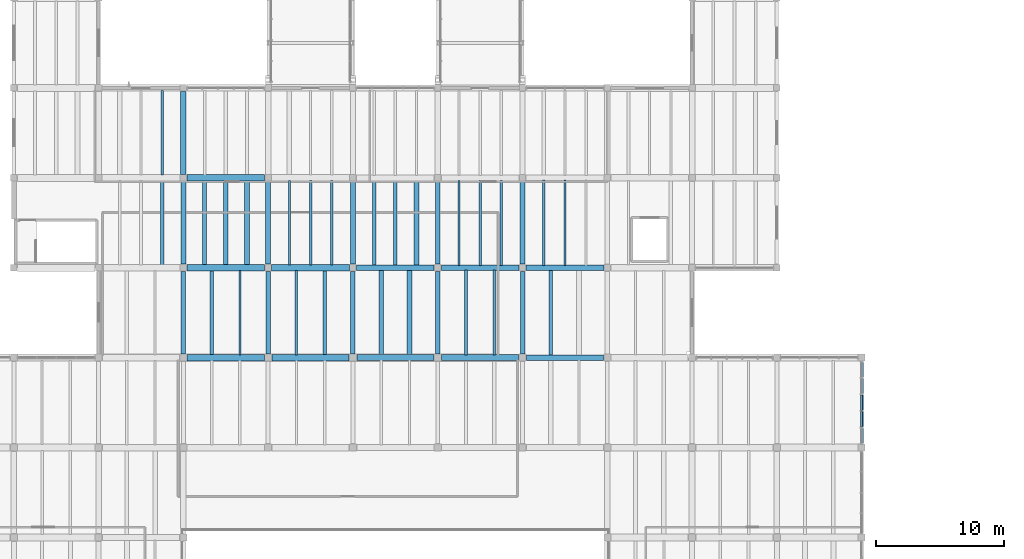
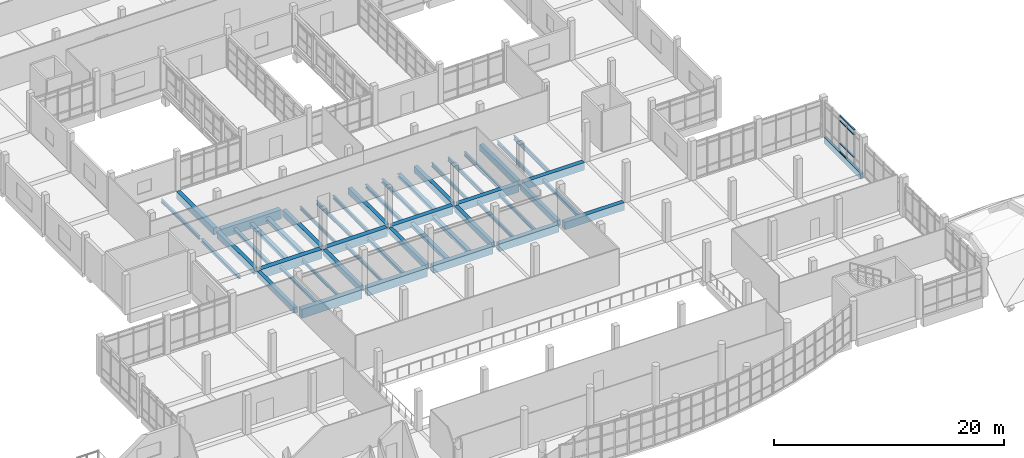
# One storey, part 16 of 65: 48 beams, 7 members, 1 element without a shape of its own.
"""IFC4 building model written with IfcOpenShell, lengths in metres."""

from ifc_helpers import new_model, si_unit, direction, frame, origin, origin_2d, place, context, subcontext, project, spatial, rectangle, i_section, extrude, material, material_profile, profile_set, type_object, element, aggregate, save


model = new_model("IFC4")

# Units and contexts
model_context = context("Model", 3, precision=1e-05, world=origin(), true_north=direction((0.0, 1.0)))
body_context = subcontext(model_context, "Body", "Model", "MODEL_VIEW")
ifc_project = project(units=[si_unit("LENGTHUNIT", "METRE"), si_unit("AREAUNIT", "SQUARE_METRE"), si_unit("VOLUMEUNIT", "CUBIC_METRE"), si_unit("PLANEANGLEUNIT", "RADIAN"), si_unit("MASSUNIT", "GRAM", prefix="KILO")], contexts=[model_context])

# Site, building, storey
site_placement = place(None, origin())
site = spatial("IfcSite", under=ifc_project, at=site_placement, CompositionType="ELEMENT")
building_placement = place(site_placement, origin())
building = spatial("IfcBuilding", under=site, at=building_placement, Name="Ciguamira Faculty of Natural Sciences", CompositionType="ELEMENT")
storey_placement = place(building_placement, frame((0.0, 0.0, 12.60009765625)))
storey = spatial("IfcBuildingStorey", under=building, at=storey_placement, Name="L03", CompositionType="ELEMENT", Elevation=12.60009765625)

# Curtain wall, members
ifc_material_1 = material(Name="Anodized aluminium curtain wall", Category="aluminium")
curtain_wall_type = type_object("IfcCurtainWallType", Name="CurtainWall_CW-09", PredefinedType="USERDEFINED", material=ifc_material_1)
curtain_wall_placement = place(storey_placement, origin())
curtain_wall = element("IfcCurtainWall", 1, at=curtain_wall_placement, inside=storey, type_object=curtain_wall_type, Name="L03 unitised curtain wall 0105", ObjectType="UNITISED CURTAIN WALL", PredefinedType="USERDEFINED")
ifc_material_2 = material(Name="Anodized aluminium transom", Category="aluminium")
ifc_material_profile_1 = material_profile(ifc_material_2, rectangle(XDim=0.080078125, YDim=0.159912109375, at=origin_2d()), Name="ALU-TRN-80X160")
ifc_profile_set_1 = profile_set([ifc_material_profile_1], Name="Anodized aluminium transom")
member_type = type_object("IfcMemberType", Name="CWTransom_CWT-03", PredefinedType="USERDEFINED", material=ifc_profile_set_1)
member_1_placement = place(storey_placement, frame((123.300048828125, 32.60498046875, 0.89990234375), z_axis=(0.0, 1.0, 0.0), x_axis=(0.0, 0.0, 1.0)))
member_1 = element("IfcMember", 2, at=member_1_placement, type_object=member_type, Name="CW-09 transom 2.2", ObjectType="TRANSOM", PredefinedType="USERDEFINED", context=body_context, shape_type="SweptSolid", body=[
    extrude(rectangle(XDim=0.080078125, YDim=0.159912109375, at=origin_2d()), origin(), (0.0, 0.0, 1.0), 1.2099609375),
])
member_2_placement = place(storey_placement, frame((123.300048828125, 32.60498046875, 3.2998046875), z_axis=(0.0, 1.0, 0.0), x_axis=(0.0, 0.0, 1.0)))
member_2 = element("IfcMember", 3, at=member_2_placement, type_object=member_type, Name="CW-09 transom 2.3", ObjectType="TRANSOM", PredefinedType="USERDEFINED", context=body_context, shape_type="SweptSolid", body=[
    extrude(rectangle(XDim=0.080078125, YDim=0.159912109375, at=origin_2d()), origin(), (0.0, 0.0, 1.0), 1.2099609375),
])
member_3_placement = place(storey_placement, frame((123.300048828125, 32.60498046875, 3.809814453125), z_axis=(0.0, 1.0, 0.0), x_axis=(0.0, 0.0, 1.0)))
member_3 = element("IfcMember", 4, at=member_3_placement, type_object=member_type, Name="CW-09 transom 2.4", ObjectType="TRANSOM", PredefinedType="USERDEFINED", context=body_context, shape_type="SweptSolid", body=[
    extrude(rectangle(XDim=0.080078125, YDim=0.159912109375, at=origin_2d()), origin(), (0.0, 0.0, 1.0), 1.2099609375),
])
member_4_placement = place(storey_placement, frame((123.300048828125, 33.89501953125, 0.039794921875), z_axis=(0.0, 1.0, 0.0), x_axis=(0.0, 0.0, 1.0)))
member_4 = element("IfcMember", 5, at=member_4_placement, type_object=member_type, Name="CW-09 transom 3.1", ObjectType="TRANSOM", PredefinedType="USERDEFINED", context=body_context, shape_type="SweptSolid", body=[
    extrude(rectangle(XDim=0.080078125, YDim=0.159912109375, at=origin_2d()), origin(), (0.0, 0.0, 1.0), 1.2099609375),
])
member_5_placement = place(storey_placement, frame((123.300048828125, 33.89501953125, 0.89990234375), z_axis=(0.0, 1.0, 0.0), x_axis=(0.0, 0.0, 1.0)))
member_5 = element("IfcMember", 6, at=member_5_placement, type_object=member_type, Name="CW-09 transom 3.2", ObjectType="TRANSOM", PredefinedType="USERDEFINED", context=body_context, shape_type="SweptSolid", body=[
    extrude(rectangle(XDim=0.080078125, YDim=0.159912109375, at=origin_2d()), origin(), (0.0, 0.0, 1.0), 1.2099609375),
])
member_6_placement = place(storey_placement, frame((123.300048828125, 33.89501953125, 3.2998046875), z_axis=(0.0, 1.0, 0.0), x_axis=(0.0, 0.0, 1.0)))
member_6 = element("IfcMember", 7, at=member_6_placement, type_object=member_type, Name="CW-09 transom 3.3", ObjectType="TRANSOM", PredefinedType="USERDEFINED", context=body_context, shape_type="SweptSolid", body=[
    extrude(rectangle(XDim=0.080078125, YDim=0.159912109375, at=origin_2d()), origin(), (0.0, 0.0, 1.0), 1.2099609375),
])
member_7_placement = place(storey_placement, frame((123.300048828125, 33.89501953125, 3.809814453125), z_axis=(0.0, 1.0, 0.0), x_axis=(0.0, 0.0, 1.0)))
member_7 = element("IfcMember", 8, at=member_7_placement, type_object=member_type, Name="CW-09 transom 3.4", ObjectType="TRANSOM", PredefinedType="USERDEFINED", context=body_context, shape_type="SweptSolid", body=[
    extrude(rectangle(XDim=0.080078125, YDim=0.159912109375, at=origin_2d()), origin(), (0.0, 0.0, 1.0), 1.2099609375),
])
aggregate(curtain_wall, [member_1, member_2, member_3, member_4, member_5, member_6, member_7])

# Beams
ifc_material_3 = material(Name="Concrete C40/50", Category="concrete")
ifc_material_profile_2 = material_profile(ifc_material_3, rectangle(XDim=0.5, YDim=0.949951171875, at=origin_2d()), Name="RC-BM-500X950")
ifc_profile_set_2 = profile_set([ifc_material_profile_2], Name="Concrete C40/50")
beam_type_1 = type_object("IfcBeamType", Name="RCBeam_BG-02_RC-BM-500X950", PredefinedType="BEAM", material=ifc_profile_set_2)
beam_1_placement = place(storey_placement, frame((70.800048828125, 38.0, -0.47509765625), z_axis=(1.0, 0.0, 0.0), x_axis=(0.0, 1.0, 0.0)))
element("IfcBeam", 9, at=beam_1_placement, inside=storey, type_object=beam_type_1, Name="L03 RC girder EW-1083", PredefinedType="BEAM", context=body_context, shape_type="SweptSolid", body=[
    extrude(rectangle(XDim=0.5, YDim=0.949951171875, at=origin_2d()), origin(), (0.0, 0.0, 1.0), 6.0),
])
for number, where, z_axis, x_axis, name in (
    (10, (70.77490234375, 45.0, -0.47509765625), (1.0, 0.0, 0.0), (0.0, 1.0, 0.0), "L03 RC girder EW-1093"),
    (11, (70.77490234375, 52.0, -0.47509765625), (1.0, 0.0, 0.0), (0.0, 1.0, 0.0), "L03 RC girder EW-1102"),
):
    element("IfcBeam", number, at=place(storey_placement, frame(where, z_axis=z_axis, x_axis=x_axis)), inside=storey, type_object=beam_type_1, Name=name, PredefinedType="BEAM", context=body_context, shape_type="SweptSolid", body=[
        extrude(rectangle(XDim=0.5, YDim=0.949951171875, at=origin_2d()), origin(), (0.0, 0.0, 1.0), 6.050048828125),
    ])
ifc_material_profile_3 = material_profile(ifc_material_3, rectangle(XDim=0.5, YDim=0.89990234375, at=origin_2d()), Name="RC-BM-500X900")
ifc_profile_set_3 = profile_set([ifc_material_profile_3], Name="Concrete C40/50")
beam_type_2 = type_object("IfcBeamType", Name="RCBeam_BG-03_RC-BM-500X900", PredefinedType="BEAM", material=ifc_profile_set_3)
beam_2_placement = place(storey_placement, frame((77.39990234375, 38.0, -0.4501953125), z_axis=(1.0, 0.0, 0.0), x_axis=(0.0, 1.0, 0.0)))
element("IfcBeam", 12, at=beam_2_placement, inside=storey, type_object=beam_type_2, Name="L03 RC girder EW-1084", PredefinedType="BEAM", context=body_context, shape_type="SweptSolid", body=[
    extrude(rectangle(XDim=0.5, YDim=0.89990234375, at=origin_2d()), origin(), (0.0, 0.0, 1.0), 6.0),
])
beam_3_placement = place(storey_placement, frame((77.375, 45.0, -0.4501953125), z_axis=(1.0, 0.0, 0.0), x_axis=(0.0, 1.0, 0.0)))
element("IfcBeam", 13, at=beam_3_placement, inside=storey, type_object=beam_type_2, Name="L03 RC girder EW-1094", PredefinedType="BEAM", context=body_context, shape_type="SweptSolid", body=[
    extrude(rectangle(XDim=0.5, YDim=0.89990234375, at=origin_2d()), origin(), (0.0, 0.0, 1.0), 6.050048828125),
])
ifc_material_profile_4 = material_profile(ifc_material_3, rectangle(XDim=0.4599609375, YDim=0.820068359375, at=origin_2d()), Name="RC-BM-460X820")
ifc_profile_set_4 = profile_set([ifc_material_profile_4], Name="Concrete C40/50")
beam_type_3 = type_object("IfcBeamType", Name="RCBeam_BG-04_RC-BM-460X820", PredefinedType="BEAM", material=ifc_profile_set_4)
for number, where, z_axis, x_axis, name in (
    (14, (84.0, 38.0, -0.41015625), (1.0, 0.0, 0.0), (0.0, 1.0, 0.0), "L03 RC girder EW-1085"),
    (15, (90.60009765625, 38.0, -0.41015625), (1.0, 0.0, 0.0), (0.0, 1.0, 0.0), "L03 RC girder EW-1086"),
):
    element("IfcBeam", number, at=place(storey_placement, frame(where, z_axis=z_axis, x_axis=x_axis)), inside=storey, type_object=beam_type_3, Name=name, PredefinedType="BEAM", context=body_context, shape_type="SweptSolid", body=[
        extrude(rectangle(XDim=0.4599609375, YDim=0.820068359375, at=origin_2d()), origin(), (0.0, 0.0, 1.0), 6.0),
    ])
beam_4_placement = place(storey_placement, frame((83.97509765625, 45.0, -0.41015625), z_axis=(1.0, 0.0, 0.0), x_axis=(0.0, 1.0, 0.0)))
element("IfcBeam", 16, at=beam_4_placement, inside=storey, type_object=beam_type_3, Name="L03 RC girder EW-1095", PredefinedType="BEAM", context=body_context, shape_type="SweptSolid", body=[
    extrude(rectangle(XDim=0.4599609375, YDim=0.820068359375, at=origin_2d()), origin(), (0.0, 0.0, 1.0), 6.0498046875),
])
beam_5_placement = place(storey_placement, frame((90.574951171875, 45.0, -0.41015625), z_axis=(1.0, 0.0, 0.0), x_axis=(0.0, 1.0, 0.0)))
element("IfcBeam", 17, at=beam_5_placement, inside=storey, type_object=beam_type_3, Name="L03 RC girder EW-1096", PredefinedType="BEAM", context=body_context, shape_type="SweptSolid", body=[
    extrude(rectangle(XDim=0.4599609375, YDim=0.820068359375, at=origin_2d()), origin(), (0.0, 0.0, 1.0), 6.050048828125),
])
ifc_material_profile_5 = material_profile(ifc_material_3, rectangle(XDim=0.449951171875, YDim=0.800048828125, at=origin_2d()), Name="RC-BM-450X800")
ifc_profile_set_5 = profile_set([ifc_material_profile_5], Name="Concrete C40/50")
beam_type_4 = type_object("IfcBeamType", Name="RCBeam_BG-05_RC-BM-450X800", PredefinedType="BEAM", material=ifc_profile_set_5)
beam_6_placement = place(storey_placement, frame((97.199951171875, 38.0, -0.400146484375), z_axis=(1.0, 0.0, 0.0), x_axis=(0.0, 1.0, 0.0)))
element("IfcBeam", 18, at=beam_6_placement, inside=storey, type_object=beam_type_4, Name="L03 RC girder EW-1087", PredefinedType="BEAM", context=body_context, shape_type="SweptSolid", body=[
    extrude(rectangle(XDim=0.449951171875, YDim=0.800048828125, at=origin_2d()), origin(), (0.0, 0.0, 1.0), 6.0),
])
beam_7_placement = place(storey_placement, frame((97.175048828125, 45.0, -0.400146484375), z_axis=(1.0, 0.0, 0.0), x_axis=(0.0, 1.0, 0.0)))
element("IfcBeam", 19, at=beam_7_placement, inside=storey, type_object=beam_type_4, Name="L03 RC girder EW-1097", PredefinedType="BEAM", context=body_context, shape_type="SweptSolid", body=[
    extrude(rectangle(XDim=0.449951171875, YDim=0.800048828125, at=origin_2d()), origin(), (0.0, 0.0, 1.0), 6.050048828125),
])
ifc_material_profile_6 = material_profile(ifc_material_3, rectangle(XDim=0.419921875, YDim=0.739990234375, at=origin_2d()), Name="RC-BM-420X740")
ifc_profile_set_6 = profile_set([ifc_material_profile_6], Name="Concrete C40/50")
beam_type_5 = type_object("IfcBeamType", Name="RCBeam_BG-07_RC-BM-420X740", PredefinedType="BEAM", material=ifc_profile_set_6)
beam_8_placement = place(storey_placement, frame((70.5, 52.27490234375, -0.3701171875), z_axis=(0.0, 1.0, 0.0), x_axis=(-1.0, 0.0, 0.0)))
element("IfcBeam", 20, at=beam_8_placement, inside=storey, type_object=beam_type_5, Name="L03 girder NS-1235", PredefinedType="BEAM", context=body_context, shape_type="SweptSolid", body=[
    extrude(rectangle(XDim=0.419921875, YDim=0.739990234375, at=origin_2d()), origin(), (0.0, 0.0, 1.0), 6.4501953125),
])
ifc_material_profile_7 = material_profile(ifc_material_3, rectangle(XDim=0.3798828125, YDim=0.679931640625, at=origin_2d()), Name="RC-BM-380X680")
ifc_profile_set_7 = profile_set([ifc_material_profile_7], Name="Concrete C40/50")
beam_type_6 = type_object("IfcBeamType", Name="RCBeam_BG-09_RC-BM-380X680", PredefinedType="BEAM", material=ifc_profile_set_7)
for number, where, z_axis, x_axis, name in (
    (21, (70.5, 45.27490234375, -0.340087890625), (0.0, 1.0, 0.0), (-1.0, 0.0, 0.0), "L03 girder NS-1234"),
    (22, (77.10009765625, 45.27490234375, -0.340087890625), (0.0, 1.0, 0.0), (-1.0, 0.0, 0.0), "L03 girder NS-1244"),
    (23, (83.699951171875, 45.27490234375, -0.340087890625), (0.0, 1.0, 0.0), (-1.0, 0.0, 0.0), "L03 girder NS-1254"),
    (24, (90.300048828125, 45.27490234375, -0.340087890625), (0.0, 1.0, 0.0), (-1.0, 0.0, 0.0), "L03 girder NS-1265"),
    (25, (96.89990234375, 45.27490234375, -0.340087890625), (0.0, 1.0, 0.0), (-1.0, 0.0, 0.0), "L03 girder NS-1276"),
):
    element("IfcBeam", number, at=place(storey_placement, frame(where, z_axis=z_axis, x_axis=x_axis)), inside=storey, type_object=beam_type_6, Name=name, PredefinedType="BEAM", context=body_context, shape_type="SweptSolid", body=[
        extrude(rectangle(XDim=0.3798828125, YDim=0.679931640625, at=origin_2d()), origin(), (0.0, 0.0, 1.0), 6.4501953125),
    ])
ifc_material_profile_8 = material_profile(ifc_material_3, rectangle(XDim=0.35009765625, YDim=0.60009765625, at=origin_2d()), Name="RC-BM-350X600")
ifc_profile_set_8 = profile_set([ifc_material_profile_8], Name="Concrete C40/50")
beam_type_7 = type_object("IfcBeamType", Name="RCBeam_BG-11_RC-BM-350X600", PredefinedType="BEAM", material=ifc_profile_set_8)
for number, where, z_axis, x_axis, name in (
    (26, (70.5, 38.300048828125, -0.300048828125), (0.0, 1.0, 0.0), (-1.0, 0.0, 0.0), "L03 girder NS-1233"),
    (27, (77.10009765625, 38.300048828125, -0.300048828125), (0.0, 1.0, 0.0), (-1.0, 0.0, 0.0), "L03 girder NS-1243"),
    (28, (83.699951171875, 38.300048828125, -0.300048828125), (0.0, 1.0, 0.0), (-1.0, 0.0, 0.0), "L03 girder NS-1253"),
    (29, (90.300048828125, 38.300048828125, -0.300048828125), (0.0, 1.0, 0.0), (-1.0, 0.0, 0.0), "L03 girder NS-1264"),
    (30, (96.89990234375, 38.300048828125, -0.300048828125), (0.0, 1.0, 0.0), (-1.0, 0.0, 0.0), "L03 girder NS-1275"),
):
    element("IfcBeam", number, at=place(storey_placement, frame(where, z_axis=z_axis, x_axis=x_axis)), inside=storey, type_object=beam_type_7, Name=name, PredefinedType="BEAM", context=body_context, shape_type="SweptSolid", body=[
        extrude(rectangle(XDim=0.35009765625, YDim=0.60009765625, at=origin_2d()), origin(), (0.0, 0.0, 1.0), 6.425048828125),
    ])
ifc_material_4 = material(Name="Precast concrete C40/50", Category="concrete")
ifc_material_profile_9 = material_profile(ifc_material_4, rectangle(XDim=0.280029296875, YDim=0.6201171875, at=origin_2d()), Name="RC-SP-280X620")
ifc_profile_set_9 = profile_set([ifc_material_profile_9], Name="Precast concrete C40/50")
beam_type_8 = type_object("IfcBeamType", Name="RCBeam_SP-01_RC-SP-280X620", PredefinedType="SPANDREL", material=ifc_profile_set_9)
beam_9_placement = place(storey_placement, frame((123.300048828125, 31.300048828125, -0.31005859375), z_axis=(0.0, 1.0, 0.0), x_axis=(-1.0, 0.0, 0.0)))
element("IfcBeam", 31, at=beam_9_placement, inside=storey, type_object=beam_type_8, Name="L03 girder NS-1322", PredefinedType="SPANDREL", context=body_context, shape_type="SweptSolid", body=[
    extrude(rectangle(XDim=0.280029296875, YDim=0.6201171875, at=origin_2d()), origin(), (0.0, 0.0, 1.0), 6.39990234375),
])
ifc_material_5 = material(Name="Steel ASTM A992 Grade 50", Category="steel")
ifc_material_profile_10 = material_profile(ifc_material_5, i_section(OverallWidth=0.25390625, OverallDepth=0.25390625, WebThickness=0.008544921875, FlangeThickness=0.01416015625, at=origin_2d()), Name="W10X49")
ifc_profile_set_10 = profile_set([ifc_material_profile_10], Name="Steel ASTM A992 Grade 50")
beam_type_9 = type_object("IfcBeamType", Name="SteelJoist_SJ-03_W10X49", PredefinedType="JOIST", material=ifc_profile_set_10)
beam_10_placement = place(storey_placement, frame((72.699951171875, 38.2099609375, -0.406982421875), z_axis=(0.0, 1.0, 0.0), x_axis=(-1.0, 0.0, 0.0)))
element("IfcBeam", 32, at=beam_10_placement, inside=storey, type_object=beam_type_9, Name="L03 composite steel joist 01081", PredefinedType="JOIST", context=body_context, shape_type="SweptSolid", body=[
    extrude(i_section(OverallWidth=0.25390625, OverallDepth=0.25390625, WebThickness=0.008544921875, FlangeThickness=0.01416015625, at=origin_2d()), origin(), (0.0, 0.0, 1.0), 6.580078125),
])
ifc_material_profile_11 = material_profile(ifc_material_5, i_section(OverallWidth=0.164794921875, OverallDepth=0.309814453125, WebThickness=0.005859375, FlangeThickness=0.009765625, at=origin_2d()), Name="W12X26")
ifc_profile_set_11 = profile_set([ifc_material_profile_11], Name="Steel ASTM A992 Grade 50")
beam_type_10 = type_object("IfcBeamType", Name="SteelJoist_SJ-04_W12X26", PredefinedType="JOIST", material=ifc_profile_set_11)
beam_11_placement = place(storey_placement, frame((74.89990234375, 38.2099609375, -0.43505859375), z_axis=(0.0, 1.0, 0.0), x_axis=(-1.0, 0.0, 0.0)))
element("IfcBeam", 33, at=beam_11_placement, inside=storey, type_object=beam_type_10, Name="L03 composite steel joist 01082", PredefinedType="JOIST", context=body_context, shape_type="SweptSolid", body=[
    extrude(i_section(OverallWidth=0.164794921875, OverallDepth=0.309814453125, WebThickness=0.005859375, FlangeThickness=0.009765625, at=origin_2d()), origin(), (0.0, 0.0, 1.0), 6.580078125),
])
ifc_material_profile_12 = material_profile(ifc_material_5, i_section(OverallWidth=0.20458984375, OverallDepth=0.307373046875, WebThickness=0.008544921875, FlangeThickness=0.0146484375, at=origin_2d()), Name="W12X45")
ifc_profile_set_12 = profile_set([ifc_material_profile_12], Name="Steel ASTM A992 Grade 50")
beam_type_11 = type_object("IfcBeamType", Name="SteelJoist_SJ-06_W12X45", PredefinedType="JOIST", material=ifc_profile_set_12)
beam_12_placement = place(storey_placement, frame((79.300048828125, 38.2099609375, -0.433837890625), z_axis=(0.0, 1.0, 0.0), x_axis=(-1.0, 0.0, 0.0)))
element("IfcBeam", 34, at=beam_12_placement, inside=storey, type_object=beam_type_11, Name="L03 composite steel joist 01106", PredefinedType="JOIST", context=body_context, shape_type="SweptSolid", body=[
    extrude(i_section(OverallWidth=0.20458984375, OverallDepth=0.307373046875, WebThickness=0.008544921875, FlangeThickness=0.0146484375, at=origin_2d()), origin(), (0.0, 0.0, 1.0), 6.580078125),
])
ifc_material_profile_13 = material_profile(ifc_material_5, i_section(OverallWidth=0.25390625, OverallDepth=0.307373046875, WebThickness=0.0087890625, FlangeThickness=0.0146484375, at=origin_2d()), Name="W12X53")
ifc_profile_set_13 = profile_set([ifc_material_profile_13], Name="Steel ASTM A992 Grade 50")
beam_type_12 = type_object("IfcBeamType", Name="SteelJoist_SJ-07_W12X53", PredefinedType="JOIST", material=ifc_profile_set_13)
for number, where, z_axis, x_axis, name in (
    (35, (68.85009765625, 45.2099609375, -0.433837890625), (0.0, 1.0, 0.0), (-1.0, 0.0, 0.0), "L03 composite steel joist 01059"),
    (36, (81.5, 38.2099609375, -0.433837890625), (0.0, 1.0, 0.0), (-1.0, 0.0, 0.0), "L03 composite steel joist 01107"),
):
    element("IfcBeam", number, at=place(storey_placement, frame(where, z_axis=z_axis, x_axis=x_axis)), inside=storey, type_object=beam_type_12, Name=name, PredefinedType="JOIST", context=body_context, shape_type="SweptSolid", body=[
        extrude(i_section(OverallWidth=0.25390625, OverallDepth=0.307373046875, WebThickness=0.0087890625, FlangeThickness=0.0146484375, at=origin_2d()), origin(), (0.0, 0.0, 1.0), 6.580078125),
    ])
ifc_material_profile_14 = material_profile(ifc_material_5, i_section(OverallWidth=0.3046875, OverallDepth=0.307373046875, WebThickness=0.010009765625, FlangeThickness=0.015380859375, at=origin_2d()), Name="W12X65")
ifc_profile_set_14 = profile_set([ifc_material_profile_14], Name="Steel ASTM A992 Grade 50")
beam_type_13 = type_object("IfcBeamType", Name="SteelJoist_SJ-08_W12X65", PredefinedType="JOIST", material=ifc_profile_set_14)
beam_13_placement = place(storey_placement, frame((72.14990234375, 45.2099609375, -0.433837890625), z_axis=(0.0, 1.0, 0.0), x_axis=(-1.0, 0.0, 0.0)))
element("IfcBeam", 37, at=beam_13_placement, inside=storey, type_object=beam_type_13, Name="L03 composite steel joist 01083", PredefinedType="JOIST", context=body_context, shape_type="SweptSolid", body=[
    extrude(i_section(OverallWidth=0.3046875, OverallDepth=0.307373046875, WebThickness=0.010009765625, FlangeThickness=0.015380859375, at=origin_2d()), origin(), (0.0, 0.0, 1.0), 6.580078125),
])
ifc_material_profile_15 = material_profile(ifc_material_5, i_section(OverallWidth=0.370849609375, OverallDepth=0.36328125, WebThickness=0.013427734375, FlangeThickness=0.021728515625, at=origin_2d()), Name="W14X109")
ifc_profile_set_15 = profile_set([ifc_material_profile_15], Name="Steel ASTM A992 Grade 50")
beam_type_14 = type_object("IfcBeamType", Name="SteelJoist_SJ-09_W14X109", PredefinedType="JOIST", material=ifc_profile_set_15)
beam_14_placement = place(storey_placement, frame((73.800048828125, 45.2099609375, -0.461669921875), z_axis=(0.0, 1.0, 0.0), x_axis=(-1.0, 0.0, 0.0)))
element("IfcBeam", 38, at=beam_14_placement, inside=storey, type_object=beam_type_14, Name="L03 composite steel joist 01084", PredefinedType="JOIST", context=body_context, shape_type="SweptSolid", body=[
    extrude(i_section(OverallWidth=0.370849609375, OverallDepth=0.36328125, WebThickness=0.013427734375, FlangeThickness=0.021728515625, at=origin_2d()), origin(), (0.0, 0.0, 1.0), 6.580078125),
])
beam_15_placement = place(storey_placement, frame((85.89990234375, 38.18994140625, -0.461669921875), z_axis=(0.0, 1.0, 0.0), x_axis=(-1.0, 0.0, 0.0)))
element("IfcBeam", 39, at=beam_15_placement, inside=storey, type_object=beam_type_14, Name="L03 composite steel joist 01132", PredefinedType="JOIST", context=body_context, shape_type="SweptSolid", body=[
    extrude(i_section(OverallWidth=0.370849609375, OverallDepth=0.36328125, WebThickness=0.013427734375, FlangeThickness=0.021728515625, at=origin_2d()), origin(), (0.0, 0.0, 1.0), 6.6201171875),
])
ifc_material_profile_16 = material_profile(ifc_material_5, i_section(OverallWidth=0.373291015625, OverallDepth=0.373291015625, WebThickness=0.016357421875, FlangeThickness=0.026123046875, at=origin_2d()), Name="W14X132")
ifc_profile_set_16 = profile_set([ifc_material_profile_16], Name="Steel ASTM A992 Grade 50")
beam_type_15 = type_object("IfcBeamType", Name="SteelJoist_SJ-10_W14X132", PredefinedType="JOIST", material=ifc_profile_set_16)
beam_16_placement = place(storey_placement, frame((75.449951171875, 45.2099609375, -0.466796875), z_axis=(0.0, 1.0, 0.0), x_axis=(-1.0, 0.0, 0.0)))
element("IfcBeam", 40, at=beam_16_placement, inside=storey, type_object=beam_type_15, Name="L03 composite steel joist 01085", PredefinedType="JOIST", context=body_context, shape_type="SweptSolid", body=[
    extrude(i_section(OverallWidth=0.373291015625, OverallDepth=0.373291015625, WebThickness=0.016357421875, FlangeThickness=0.026123046875, at=origin_2d()), origin(), (0.0, 0.0, 1.0), 6.580078125),
])
beam_17_placement = place(storey_placement, frame((88.10009765625, 38.18994140625, -0.466796875), z_axis=(0.0, 1.0, 0.0), x_axis=(-1.0, 0.0, 0.0)))
element("IfcBeam", 41, at=beam_17_placement, inside=storey, type_object=beam_type_15, Name="L03 composite steel joist 01133", PredefinedType="JOIST", context=body_context, shape_type="SweptSolid", body=[
    extrude(i_section(OverallWidth=0.373291015625, OverallDepth=0.373291015625, WebThickness=0.016357421875, FlangeThickness=0.026123046875, at=origin_2d()), origin(), (0.0, 0.0, 1.0), 6.6201171875),
])
ifc_material_profile_17 = material_profile(ifc_material_5, i_section(OverallWidth=0.1708984375, OverallDepth=0.3505859375, WebThickness=0.0068359375, FlangeThickness=0.009765625, at=origin_2d()), Name="W14X30")
ifc_profile_set_17 = profile_set([ifc_material_profile_17], Name="Steel ASTM A992 Grade 50")
beam_type_16 = type_object("IfcBeamType", Name="SteelJoist_SJ-11_W14X30", PredefinedType="JOIST", material=ifc_profile_set_17)
beam_18_placement = place(storey_placement, frame((78.75, 45.2099609375, -0.455322265625), z_axis=(0.0, 1.0, 0.0), x_axis=(-1.0, 0.0, 0.0)))
element("IfcBeam", 42, at=beam_18_placement, inside=storey, type_object=beam_type_16, Name="L03 composite steel joist 01108", PredefinedType="JOIST", context=body_context, shape_type="SweptSolid", body=[
    extrude(i_section(OverallWidth=0.1708984375, OverallDepth=0.3505859375, WebThickness=0.0068359375, FlangeThickness=0.009765625, at=origin_2d()), origin(), (0.0, 0.0, 1.0), 6.580078125),
])
ifc_material_profile_18 = material_profile(ifc_material_5, i_section(OverallWidth=0.203125, OverallDepth=0.347900390625, WebThickness=0.0078125, FlangeThickness=0.013427734375, at=origin_2d()), Name="W14X43")
ifc_profile_set_18 = profile_set([ifc_material_profile_18], Name="Steel ASTM A992 Grade 50")
beam_type_17 = type_object("IfcBeamType", Name="SteelJoist_SJ-12_W14X43", PredefinedType="JOIST", material=ifc_profile_set_18)
for number, where, z_axis, x_axis, name in (
    (43, (68.85009765625, 52.2099609375, -0.4541015625), (0.0, 1.0, 0.0), (-1.0, 0.0, 0.0), "L03 composite steel joist 01062"),
    (44, (80.39990234375, 45.2099609375, -0.4541015625), (0.0, 1.0, 0.0), (-1.0, 0.0, 0.0), "L03 composite steel joist 01109"),
):
    element("IfcBeam", number, at=place(storey_placement, frame(where, z_axis=z_axis, x_axis=x_axis)), inside=storey, type_object=beam_type_17, Name=name, PredefinedType="JOIST", context=body_context, shape_type="SweptSolid", body=[
        extrude(i_section(OverallWidth=0.203125, OverallDepth=0.347900390625, WebThickness=0.0078125, FlangeThickness=0.013427734375, at=origin_2d()), origin(), (0.0, 0.0, 1.0), 6.580078125),
    ])
beam_19_placement = place(storey_placement, frame((92.5, 38.18994140625, -0.4541015625), z_axis=(0.0, 1.0, 0.0), x_axis=(-1.0, 0.0, 0.0)))
element("IfcBeam", 45, at=beam_19_placement, inside=storey, type_object=beam_type_17, Name="L03 composite steel joist 01157", PredefinedType="JOIST", context=body_context, shape_type="SweptSolid", body=[
    extrude(i_section(OverallWidth=0.203125, OverallDepth=0.347900390625, WebThickness=0.0078125, FlangeThickness=0.013427734375, at=origin_2d()), origin(), (0.0, 0.0, 1.0), 6.6201171875),
])
ifc_material_profile_19 = material_profile(ifc_material_5, i_section(OverallWidth=0.204833984375, OverallDepth=0.35302734375, WebThickness=0.00927734375, FlangeThickness=0.016845703125, at=origin_2d()), Name="W14X53")
ifc_profile_set_19 = profile_set([ifc_material_profile_19], Name="Steel ASTM A992 Grade 50")
beam_type_18 = type_object("IfcBeamType", Name="SteelJoist_SJ-13_W14X53", PredefinedType="JOIST", material=ifc_profile_set_19)
beam_20_placement = place(storey_placement, frame((82.050048828125, 45.2099609375, -0.45654296875), z_axis=(0.0, 1.0, 0.0), x_axis=(-1.0, 0.0, 0.0)))
element("IfcBeam", 46, at=beam_20_placement, inside=storey, type_object=beam_type_18, Name="L03 composite steel joist 01110", PredefinedType="JOIST", context=body_context, shape_type="SweptSolid", body=[
    extrude(i_section(OverallWidth=0.204833984375, OverallDepth=0.35302734375, WebThickness=0.00927734375, FlangeThickness=0.016845703125, at=origin_2d()), origin(), (0.0, 0.0, 1.0), 6.580078125),
])
beam_21_placement = place(storey_placement, frame((94.699951171875, 38.18994140625, -0.45654296875), z_axis=(0.0, 1.0, 0.0), x_axis=(-1.0, 0.0, 0.0)))
element("IfcBeam", 47, at=beam_21_placement, inside=storey, type_object=beam_type_18, Name="L03 composite steel joist 01158", PredefinedType="JOIST", context=body_context, shape_type="SweptSolid", body=[
    extrude(i_section(OverallWidth=0.204833984375, OverallDepth=0.35302734375, WebThickness=0.00927734375, FlangeThickness=0.016845703125, at=origin_2d()), origin(), (0.0, 0.0, 1.0), 6.6201171875),
])
ifc_material_profile_20 = material_profile(ifc_material_5, i_section(OverallWidth=0.25390625, OverallDepth=0.355712890625, WebThickness=0.010498046875, FlangeThickness=0.018310546875, at=origin_2d()), Name="W14X68")
ifc_profile_set_20 = profile_set([ifc_material_profile_20], Name="Steel ASTM A992 Grade 50")
beam_type_19 = type_object("IfcBeamType", Name="SteelJoist_SJ-14_W14X68", PredefinedType="JOIST", material=ifc_profile_set_20)
beam_22_placement = place(storey_placement, frame((85.35009765625, 45.18994140625, -0.4580078125), z_axis=(0.0, 1.0, 0.0), x_axis=(-1.0, 0.0, 0.0)))
element("IfcBeam", 48, at=beam_22_placement, inside=storey, type_object=beam_type_19, Name="L03 composite steel joist 01134", PredefinedType="JOIST", context=body_context, shape_type="SweptSolid", body=[
    extrude(i_section(OverallWidth=0.25390625, OverallDepth=0.355712890625, WebThickness=0.010498046875, FlangeThickness=0.018310546875, at=origin_2d()), origin(), (0.0, 0.0, 1.0), 6.6201171875),
])
ifc_material_profile_21 = material_profile(ifc_material_5, i_section(OverallWidth=0.256591796875, OverallDepth=0.36328125, WebThickness=0.012939453125, FlangeThickness=0.021728515625, at=origin_2d()), Name="W14X82")
ifc_profile_set_21 = profile_set([ifc_material_profile_21], Name="Steel ASTM A992 Grade 50")
beam_type_20 = type_object("IfcBeamType", Name="SteelJoist_SJ-15_W14X82", PredefinedType="JOIST", material=ifc_profile_set_21)
beam_23_placement = place(storey_placement, frame((87.0, 45.18994140625, -0.461669921875), z_axis=(0.0, 1.0, 0.0), x_axis=(-1.0, 0.0, 0.0)))
element("IfcBeam", 49, at=beam_23_placement, inside=storey, type_object=beam_type_20, Name="L03 composite steel joist 01135", PredefinedType="JOIST", context=body_context, shape_type="SweptSolid", body=[
    extrude(i_section(OverallWidth=0.256591796875, OverallDepth=0.36328125, WebThickness=0.012939453125, FlangeThickness=0.021728515625, at=origin_2d()), origin(), (0.0, 0.0, 1.0), 6.6201171875),
])
beam_24_placement = place(storey_placement, frame((99.10009765625, 38.18505859375, -0.461669921875), z_axis=(0.0, 1.0, 0.0), x_axis=(-1.0, 0.0, 0.0)))
element("IfcBeam", 50, at=beam_24_placement, inside=storey, type_object=beam_type_20, Name="L03 composite steel joist 01183", PredefinedType="JOIST", context=body_context, shape_type="SweptSolid", body=[
    extrude(i_section(OverallWidth=0.256591796875, OverallDepth=0.36328125, WebThickness=0.012939453125, FlangeThickness=0.021728515625, at=origin_2d()), origin(), (0.0, 0.0, 1.0), 6.6298828125),
])
ifc_material_profile_22 = material_profile(ifc_material_5, i_section(OverallWidth=0.368408203125, OverallDepth=0.355712890625, WebThickness=0.01123046875, FlangeThickness=0.01806640625, at=origin_2d()), Name="W14X90")
ifc_profile_set_22 = profile_set([ifc_material_profile_22], Name="Steel ASTM A992 Grade 50")
beam_type_21 = type_object("IfcBeamType", Name="SteelJoist_SJ-16_W14X90", PredefinedType="JOIST", material=ifc_profile_set_22)
beam_25_placement = place(storey_placement, frame((88.64990234375, 45.18994140625, -0.4580078125), z_axis=(0.0, 1.0, 0.0), x_axis=(-1.0, 0.0, 0.0)))
element("IfcBeam", 51, at=beam_25_placement, inside=storey, type_object=beam_type_21, Name="L03 composite steel joist 01136", PredefinedType="JOIST", context=body_context, shape_type="SweptSolid", body=[
    extrude(i_section(OverallWidth=0.368408203125, OverallDepth=0.355712890625, WebThickness=0.01123046875, FlangeThickness=0.01806640625, at=origin_2d()), origin(), (0.0, 0.0, 1.0), 6.6201171875),
])
ifc_material_profile_23 = material_profile(ifc_material_5, i_section(OverallWidth=0.140380859375, OverallDepth=0.40380859375, WebThickness=0.007080078125, FlangeThickness=0.01123046875, at=origin_2d()), Name="W16X31")
ifc_profile_set_23 = profile_set([ifc_material_profile_23], Name="Steel ASTM A992 Grade 50")
beam_type_22 = type_object("IfcBeamType", Name="SteelJoist_SJ-17_W16X31", PredefinedType="JOIST", material=ifc_profile_set_23)
beam_26_placement = place(storey_placement, frame((91.949951171875, 45.18994140625, -0.48193359375), z_axis=(0.0, 1.0, 0.0), x_axis=(-1.0, 0.0, 0.0)))
element("IfcBeam", 52, at=beam_26_placement, inside=storey, type_object=beam_type_22, Name="L03 composite steel joist 01159", PredefinedType="JOIST", context=body_context, shape_type="SweptSolid", body=[
    extrude(i_section(OverallWidth=0.140380859375, OverallDepth=0.40380859375, WebThickness=0.007080078125, FlangeThickness=0.01123046875, at=origin_2d()), origin(), (0.0, 0.0, 1.0), 6.6201171875),
])
ifc_material_profile_24 = material_profile(ifc_material_5, i_section(OverallWidth=0.177490234375, OverallDepth=0.40380859375, WebThickness=0.007568359375, FlangeThickness=0.010986328125, at=origin_2d()), Name="W16X36")
ifc_profile_set_24 = profile_set([ifc_material_profile_24], Name="Steel ASTM A992 Grade 50")
beam_type_23 = type_object("IfcBeamType", Name="SteelJoist_SJ-18_W16X36", PredefinedType="JOIST", material=ifc_profile_set_24)
beam_27_placement = place(storey_placement, frame((93.60009765625, 45.18994140625, -0.48193359375), z_axis=(0.0, 1.0, 0.0), x_axis=(-1.0, 0.0, 0.0)))
element("IfcBeam", 53, at=beam_27_placement, inside=storey, type_object=beam_type_23, Name="L03 composite steel joist 01160", PredefinedType="JOIST", context=body_context, shape_type="SweptSolid", body=[
    extrude(i_section(OverallWidth=0.177490234375, OverallDepth=0.40380859375, WebThickness=0.007568359375, FlangeThickness=0.010986328125, at=origin_2d()), origin(), (0.0, 0.0, 1.0), 6.6201171875),
])
ifc_material_profile_25 = material_profile(ifc_material_5, i_section(OverallWidth=0.1787109375, OverallDepth=0.408935546875, WebThickness=0.0087890625, FlangeThickness=0.014404296875, at=origin_2d()), Name="W16X45")
ifc_profile_set_25 = profile_set([ifc_material_profile_25], Name="Steel ASTM A992 Grade 50")
beam_type_24 = type_object("IfcBeamType", Name="SteelJoist_SJ-19_W16X45", PredefinedType="JOIST", material=ifc_profile_set_25)
beam_28_placement = place(storey_placement, frame((95.25, 45.18994140625, -0.484619140625), z_axis=(0.0, 1.0, 0.0), x_axis=(-1.0, 0.0, 0.0)))
element("IfcBeam", 54, at=beam_28_placement, inside=storey, type_object=beam_type_24, Name="L03 composite steel joist 01161", PredefinedType="JOIST", context=body_context, shape_type="SweptSolid", body=[
    extrude(i_section(OverallWidth=0.1787109375, OverallDepth=0.408935546875, WebThickness=0.0087890625, FlangeThickness=0.014404296875, at=origin_2d()), origin(), (0.0, 0.0, 1.0), 6.6201171875),
])
ifc_material_profile_26 = material_profile(ifc_material_5, i_section(OverallWidth=0.180908203125, OverallDepth=0.41650390625, WebThickness=0.010986328125, FlangeThickness=0.01806640625, at=origin_2d()), Name="W16X57")
ifc_profile_set_26 = profile_set([ifc_material_profile_26], Name="Steel ASTM A992 Grade 50")
beam_type_25 = type_object("IfcBeamType", Name="SteelJoist_SJ-20_W16X57", PredefinedType="JOIST", material=ifc_profile_set_26)
beam_29_placement = place(storey_placement, frame((98.550048828125, 45.18505859375, -0.48828125), z_axis=(0.0, 1.0, 0.0), x_axis=(-1.0, 0.0, 0.0)))
element("IfcBeam", 55, at=beam_29_placement, inside=storey, type_object=beam_type_25, Name="L03 composite steel joist 01185", PredefinedType="JOIST", context=body_context, shape_type="SweptSolid", body=[
    extrude(i_section(OverallWidth=0.180908203125, OverallDepth=0.41650390625, WebThickness=0.010986328125, FlangeThickness=0.01806640625, at=origin_2d()), origin(), (0.0, 0.0, 1.0), 6.6298828125),
])
ifc_material_profile_27 = material_profile(ifc_material_5, i_section(OverallWidth=0.15234375, OverallDepth=0.449462890625, WebThickness=0.007568359375, FlangeThickness=0.0107421875, at=origin_2d()), Name="W18X35")
ifc_profile_set_27 = profile_set([ifc_material_profile_27], Name="Steel ASTM A992 Grade 50")
beam_type_26 = type_object("IfcBeamType", Name="SteelJoist_SJ-21_W18X35", PredefinedType="JOIST", material=ifc_profile_set_27)
beam_30_placement = place(storey_placement, frame((100.199951171875, 45.18505859375, -0.5048828125), z_axis=(0.0, 1.0, 0.0), x_axis=(-1.0, 0.0, 0.0)))
element("IfcBeam", 56, at=beam_30_placement, inside=storey, type_object=beam_type_26, Name="L03 composite steel joist 01186", PredefinedType="JOIST", context=body_context, shape_type="SweptSolid", body=[
    extrude(i_section(OverallWidth=0.15234375, OverallDepth=0.449462890625, WebThickness=0.007568359375, FlangeThickness=0.0107421875, at=origin_2d()), origin(), (0.0, 0.0, 1.0), 6.6298828125),
])

save(model, "model.ifc")
